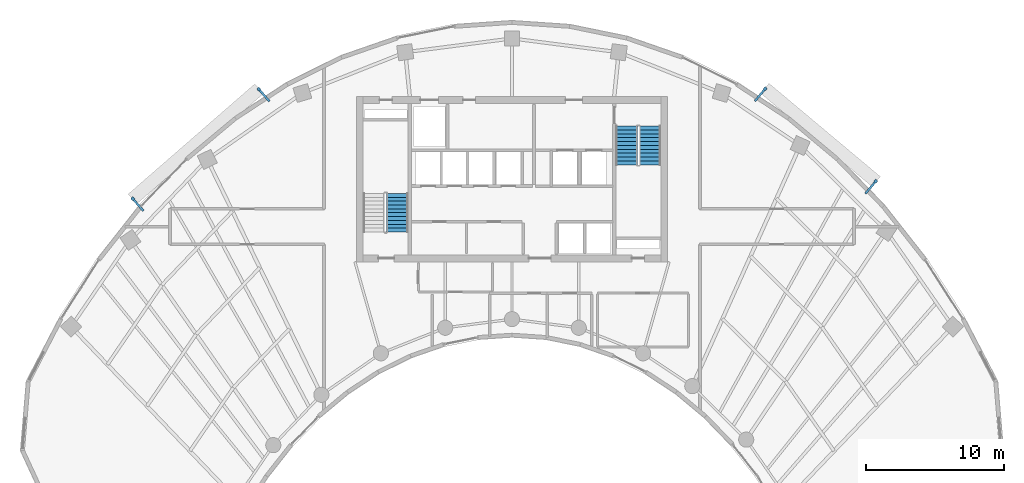
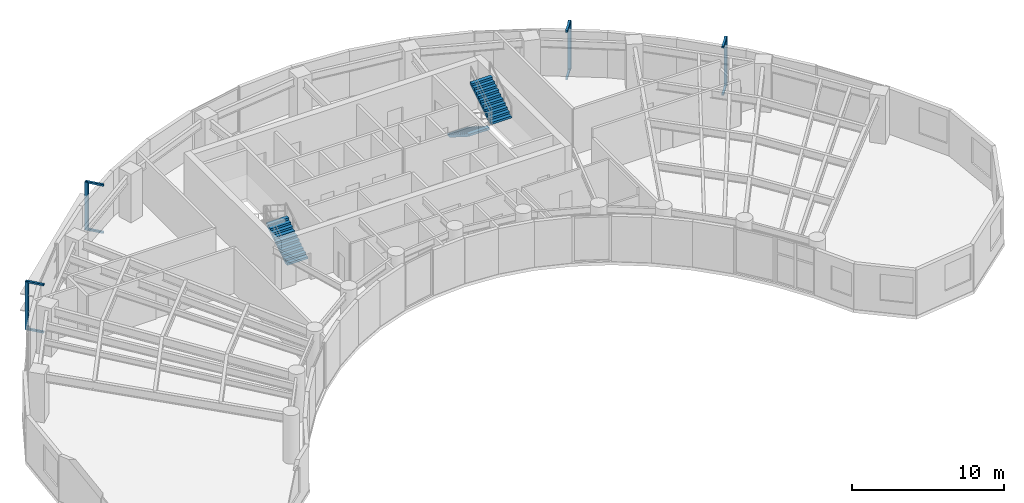
# One storey, part 11 of 13: 12 discrete accessories, 3 stair flights, 2 elements without a shape of their own.
"""IFC4 building model written with IfcOpenShell, lengths in metres."""

from ifc_helpers import new_model, si_unit, direction, frame, origin, origin_2d, place, context, subcontext, project, spatial, polyline, rectangle, outline, extrude, source, transform, mapped, material, type_object, type_shapes, element, aggregate, save


model = new_model("IFC4")

# Units and contexts
model_context = context("Model", 3, precision=1e-05, world=origin(), true_north=direction((0.0, 1.0)))
body_context = subcontext(model_context, "Body", "Model", "MODEL_VIEW")
ifc_project = project(units=[si_unit("LENGTHUNIT", "METRE"), si_unit("AREAUNIT", "SQUARE_METRE"), si_unit("VOLUMEUNIT", "CUBIC_METRE"), si_unit("PLANEANGLEUNIT", "RADIAN"), si_unit("MASSUNIT", "GRAM", prefix="KILO")], contexts=[model_context])

# Site, building, storey
site_placement = place(None, origin())
site = spatial("IfcSite", under=ifc_project, at=site_placement, CompositionType="ELEMENT")
building_placement = place(site_placement, origin())
building = spatial("IfcBuilding", under=site, at=building_placement, Name="Breltana Convention Tower", CompositionType="ELEMENT")
storey_placement = place(building_placement, frame((0.0, 0.0, 154.5)))
storey = spatial("IfcBuildingStorey", under=building, at=storey_placement, Name="L37", CompositionType="ELEMENT", Elevation=154.5)

# Stair, stair flight
ifc_material_1 = material(Name="Concrete C40/50", Category="concrete")
stair_type = type_object("IfcStairType", Name="ST-DOG-1560-R177", PredefinedType="HALF_TURN_STAIR", material=ifc_material_1)
stair_1_placement = place(storey_placement, origin())
stair_1 = element("IfcStair", 1, at=stair_1_placement, inside=storey, type_object=stair_type, Name="L37 Protected Core Exit Stair ST-1", PredefinedType="HALF_TURN_STAIR")
stair_flight_type = type_object("IfcStairFlightType", Name="STF-DOG-1560-N11-R177", PredefinedType="STRAIGHT", material=ifc_material_1)
stair_flight_1_placement = place(storey_placement, frame((39.68994140625, 62.360107421875, 0.0), z_axis=(0.0, 0.0, 1.0), x_axis=(0.0, 1.0, 0.0)))
stair_flight_1 = element("IfcStairFlight", 2, at=stair_flight_1_placement, type_object=stair_flight_type, Name="ST-1 flight 1", NumberOfRisers=11, NumberOfTreads=10, PredefinedType="STRAIGHT", RiserHeight=0.177272727, TreadLength=0.28, context=body_context, shape_type="SweptSolid", body=[
    extrude(outline(polyline([(0.0, 0.0), (0.0, 0.17724609375), (0.280029296875, 0.17724609375), (0.280029296875, 0.3544921875), (0.56005859375, 0.3544921875), (0.56005859375, 0.53173828125), (0.840087890625, 0.53173828125), (0.840087890625, 0.708984375), (1.1201171875, 0.708984375), (1.1201171875, 0.886474609375), (1.39990234375, 0.886474609375), (1.39990234375, 1.063720703125), (1.679931640625, 1.063720703125), (1.679931640625, 1.240966796875), (1.9599609375, 1.240966796875), (1.9599609375, 1.418212890625), (2.239990234375, 1.418212890625), (2.239990234375, 1.595458984375), (2.52001953125, 1.595458984375), (2.52001953125, 1.772705078125), (2.800048828125, 1.772705078125), (2.800048828125, 1.949951171875), (2.800048828125, 1.59521484375), (0.2802734375, 0.0), (0.0, 0.0)])), frame((0.0, 0.780029296875, 0.0), z_axis=(0.0, -1.0, 0.0), x_axis=(1.0, 0.0, 0.0)), (0.0, 0.0, 1.0), 1.56005859375),
])
aggregate(stair_1, [stair_flight_1])

# Stair, stair flights
stair_2_placement = place(storey_placement, origin())
stair_2 = element("IfcStair", 3, at=stair_2_placement, inside=storey, type_object=stair_type, Name="L37 Protected Core Exit Stair ST-2", PredefinedType="HALF_TURN_STAIR")
stair_flight_2_placement = place(storey_placement, frame((56.31005859375, 70.0400390625, 0.0), z_axis=(0.0, 0.0, 1.0), x_axis=(0.0, -1.0, 0.0)))
stair_flight_2 = element("IfcStairFlight", 4, at=stair_flight_2_placement, type_object=stair_flight_type, Name="ST-2 flight 1", NumberOfRisers=11, NumberOfTreads=10, PredefinedType="STRAIGHT", RiserHeight=0.177272727, TreadLength=0.28, context=body_context, shape_type="SweptSolid", body=[
    extrude(outline(polyline([(0.0, 0.0), (0.0, 0.17724609375), (0.280029296875, 0.17724609375), (0.280029296875, 0.3544921875), (0.56005859375, 0.3544921875), (0.56005859375, 0.53173828125), (0.840087890625, 0.53173828125), (0.840087890625, 0.708984375), (1.1201171875, 0.708984375), (1.1201171875, 0.886474609375), (1.39990234375, 0.886474609375), (1.39990234375, 1.063720703125), (1.679931640625, 1.063720703125), (1.679931640625, 1.240966796875), (1.9599609375, 1.240966796875), (1.9599609375, 1.418212890625), (2.239990234375, 1.418212890625), (2.239990234375, 1.595458984375), (2.52001953125, 1.595458984375), (2.52001953125, 1.772705078125), (2.800048828125, 1.772705078125), (2.800048828125, 1.949951171875), (2.800048828125, 1.59521484375), (0.2802734375, 0.0), (0.0, 0.0)])), frame((0.0, 0.780029296875, 0.0), z_axis=(0.0, -1.0, 0.0), x_axis=(1.0, 0.0, 0.0)), (0.0, 0.0, 1.0), 1.56005859375),
])
stair_flight_3_placement = place(storey_placement, frame((58.02001953125, 67.239990234375, 1.949951171875), z_axis=(0.0, 0.0, 1.0), x_axis=(0.0, 1.0, 0.0)))
stair_flight_3 = element("IfcStairFlight", 5, at=stair_flight_3_placement, type_object=stair_flight_type, Name="ST-2 flight 2", NumberOfRisers=11, NumberOfTreads=10, PredefinedType="STRAIGHT", RiserHeight=0.177272727, TreadLength=0.28, context=body_context, shape_type="SweptSolid", body=[
    extrude(outline(polyline([(0.0, 0.0), (0.0, 0.17724609375), (0.280029296875, 0.17724609375), (0.280029296875, 0.3544921875), (0.56005859375, 0.3544921875), (0.56005859375, 0.53173828125), (0.840087890625, 0.53173828125), (0.840087890625, 0.708984375), (1.1201171875, 0.708984375), (1.1201171875, 0.886474609375), (1.39990234375, 0.886474609375), (1.39990234375, 1.063720703125), (1.679931640625, 1.063720703125), (1.679931640625, 1.240966796875), (1.9599609375, 1.240966796875), (1.9599609375, 1.418212890625), (2.239990234375, 1.418212890625), (2.239990234375, 1.595458984375), (2.52001953125, 1.595458984375), (2.52001953125, 1.772705078125), (2.800048828125, 1.772705078125), (2.800048828125, 1.949951171875), (2.800048828125, 1.59521484375), (0.2802734375, 0.0), (0.0, 0.0)])), frame((0.0, 0.780029296875, 0.0), z_axis=(0.0, -1.0, 0.0), x_axis=(1.0, 0.0, 0.0)), (0.0, 0.0, 1.0), 1.56005859375),
])
aggregate(stair_2, [stair_flight_2, stair_flight_3])

# Discrete accessories
ifc_material_2 = material(Name="Steel S355", Category="steel")
discrete_accessory_type_1 = type_object("IfcDiscreteAccessoryType", Name="ACC-DSF-BRACKET-150", PredefinedType="BRACKET", material=ifc_material_2)
shared_shape_1 = source(origin(), body_context, "Body", "SweptSolid", [
    extrude(rectangle(XDim=1.239990234375, YDim=0.14990234375, at=origin_2d()), origin(), (0.0, 0.0, 1.0), 0.139892578125),
])
type_shapes(discrete_accessory_type_1, [shared_shape_1])
for number, where, z_axis, x_axis, name in (
    (6, (20.849853515625, 64.353271484375, -0.16015625), (0.0, 0.0, 1.0), (-0.65645558996, 0.754364672032, 0.0), "L37 double-skin slab stand-off bracket 1.1B"),
    (7, (20.849853515625, 64.353271484375, 3.64990234375), (0.0, 0.0, 1.0), (-0.65645558996, 0.754364672032, 0.0), "L37 double-skin slab stand-off bracket 1.1T"),
    (8, (29.988525390625, 72.305908203125, -0.16015625), (0.0, 0.0, 1.0), (-0.65645558996, 0.754364672032, 0.0), "L37 double-skin slab stand-off bracket 1.2B"),
    (9, (29.988525390625, 72.305908203125, 3.64990234375), (0.0, 0.0, 1.0), (-0.65645558996, 0.754364672032, 0.0), "L37 double-skin slab stand-off bracket 1.2T"),
    (10, (66.019287109375, 72.327880859375, -0.16015625), (0.0, 0.0, 1.0), (0.641989340657, 0.766713562214, 0.0), "L37 double-skin slab stand-off bracket 2.1B"),
    (11, (66.019287109375, 72.327880859375, 3.64990234375), (0.0, 0.0, 1.0), (0.641989340657, 0.766713562214, 0.0), "L37 double-skin slab stand-off bracket 2.1T"),
    (12, (74.037841796875, 65.61376953125, -0.16015625), (0.0, 0.0, 1.0), (0.641989340657, 0.766713562214, 0.0), "L37 double-skin slab stand-off bracket 2.2B"),
    (13, (74.037841796875, 65.61376953125, 3.64990234375), (0.0, 0.0, 1.0), (0.641989340657, 0.766713562214, 0.0), "L37 double-skin slab stand-off bracket 2.2T"),
):
    element("IfcDiscreteAccessory", number, at=place(storey_placement, frame(where, z_axis=z_axis, x_axis=x_axis)), inside=storey, type_object=discrete_accessory_type_1, Name=name, PredefinedType="BRACKET", context=body_context, shape_type="MappedRepresentation", body=[
        mapped(shared_shape_1, transform((0.0, 0.0, 0.0), scale=1.0)),
    ])
discrete_accessory_type_2 = type_object("IfcDiscreteAccessoryType", Name="ACC-DSF-CARRIER-150", PredefinedType="BRACKET", material=ifc_material_2)
shared_shape_2 = source(origin(), body_context, "Body", "SweptSolid", [
    extrude(rectangle(XDim=0.219970703125, YDim=0.219970703125, at=origin_2d()), origin(), (0.0, 0.0, 1.0), 3.8701171875),
])
for number, where, z_axis, x_axis, name in (
    (14, (20.482177734375, 64.77587890625, -0.1201171875), (0.0, 0.0, 1.0), (-0.65645558996, 0.754364672032, 0.0), "L37 double-skin outer vertical carrier 1.1"),
    (15, (29.620849609375, 72.728271484375, -0.1201171875), (0.0, 0.0, 1.0), (-0.65645558996, 0.754364672032, 0.0), "L37 double-skin outer vertical carrier 1.2"),
    (16, (66.37890625, 72.757080078125, -0.1201171875), (0.0, 0.0, 1.0), (0.641989340657, 0.766713562214, 0.0), "L37 double-skin outer vertical carrier 2.1"),
    (17, (74.3974609375, 66.043212890625, -0.1201171875), (0.0, 0.0, 1.0), (0.641989340657, 0.766713562214, 0.0), "L37 double-skin outer vertical carrier 2.2"),
):
    element("IfcDiscreteAccessory", number, at=place(storey_placement, frame(where, z_axis=z_axis, x_axis=x_axis)), inside=storey, type_object=discrete_accessory_type_2, Name=name, PredefinedType="BRACKET", context=body_context, shape_type="MappedRepresentation", body=[
        mapped(shared_shape_2, transform((0.0, 0.0, 0.0), scale=1.0)),
    ])

save(model, "model.ifc")
